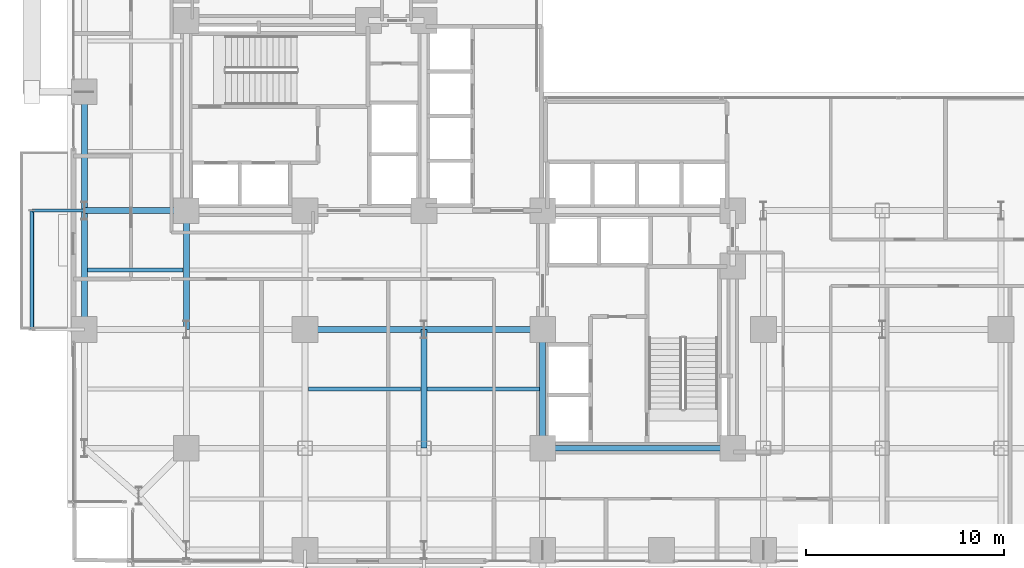
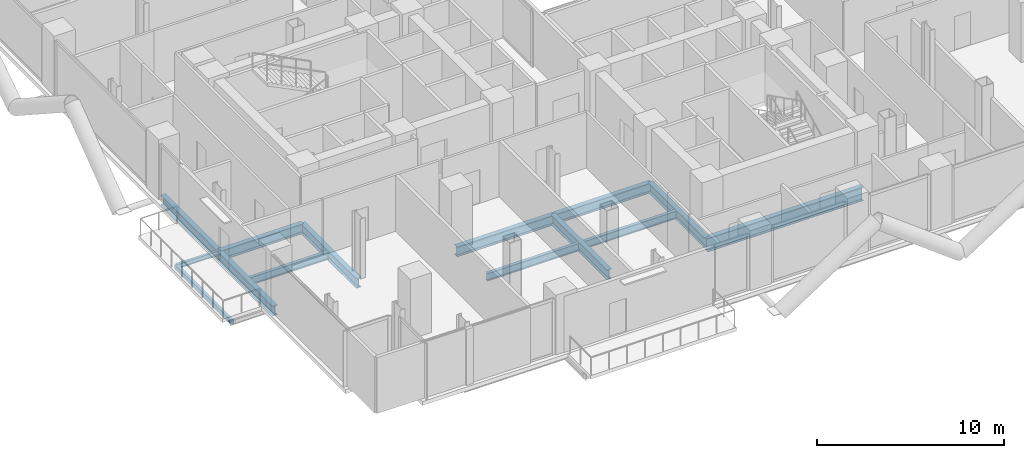
# One storey, part 4 of 25: 14 beams.
"""IFC4 building model written with IfcOpenShell, lengths in metres."""

from ifc_helpers import new_model, si_unit, direction, frame, origin, origin_2d, place, context, subcontext, project, spatial, hollow_rectangle, i_section, extrude, material, material_profile, profile_set, type_object, element, save


model = new_model("IFC4")

# Units and contexts
model_context = context("Model", 3, precision=1e-05, world=origin(), true_north=direction((0.0, 1.0)))
body_context = subcontext(model_context, "Body", "Model", "MODEL_VIEW")
ifc_project = project(units=[si_unit("LENGTHUNIT", "METRE"), si_unit("AREAUNIT", "SQUARE_METRE"), si_unit("VOLUMEUNIT", "CUBIC_METRE"), si_unit("PLANEANGLEUNIT", "RADIAN"), si_unit("MASSUNIT", "GRAM", prefix="KILO"), si_unit("THERMODYNAMICTEMPERATUREUNIT", "KELVIN"), si_unit("POWERUNIT", "WATT")], contexts=[model_context])

# Site, building, storey
site_placement = place(None, origin())
site = spatial("IfcSite", under=ifc_project, at=site_placement, CompositionType="ELEMENT")
building_placement = place(site_placement, origin())
building = spatial("IfcBuilding", under=site, at=building_placement, Name="Svarakhadi Broadcast Tower", CompositionType="ELEMENT")
storey_placement = place(building_placement, frame((0.0, 0.0, 67.5)))
storey = spatial("IfcBuildingStorey", under=building, at=storey_placement, Name="L15", CompositionType="ELEMENT", Elevation=67.5)

# Beams
ifc_material_1 = material(Name="Steel S355J2 (IS 2062 E350C)", Category="steel")
ifc_material_profile_1 = material_profile(ifc_material_1, i_section(OverallWidth=0.199951171875, OverallDepth=0.5, WebThickness=0.01025390625, FlangeThickness=0.01611328125, FilletRadius=0.02099609375, at=origin_2d()), Name="NPB 500x200x91")
ifc_profile_set_1 = profile_set([ifc_material_profile_1], Name="Steel S355J2 (IS 2062 E350C)")
beam_type_1 = type_object("IfcBeamType", Name="Beam_NPB500", PredefinedType="BEAM", material=ifc_profile_set_1)
beam_1_placement = place(storey_placement, frame((1.010009765625, 15.0, -0.5), z_axis=(1.0, 0.0, 0.0), x_axis=(0.0, 1.0, 0.0)))
element("IfcBeam", 1, at=beam_1_placement, inside=storey, type_object=beam_type_1, Name="L15 Secondary Composite Beam SB002", PredefinedType="BEAM", context=body_context, shape_type="SweptSolid", body=[
    extrude(i_section(OverallWidth=0.199951171875, OverallDepth=0.5, WebThickness=0.01025390625, FlangeThickness=0.01611328125, FilletRadius=0.02099609375, at=origin_2d()), origin(), (0.0, 0.0, 1.0), 4.830078125),
])
for number, where, z_axis, x_axis, name in (
    (2, (12.159912109375, 9.0, -0.5), (1.0, 0.0, 0.0), (0.0, 1.0, 0.0), "L15 Secondary Composite Beam SB014"),
    (3, (18.159912109375, 9.0, -0.5), (1.0, 0.0, 0.0), (0.0, 1.0, 0.0), "L15 Secondary Composite Beam SB020"),
):
    element("IfcBeam", number, at=place(storey_placement, frame(where, z_axis=z_axis, x_axis=x_axis)), inside=storey, type_object=beam_type_1, Name=name, PredefinedType="BEAM", context=body_context, shape_type="SweptSolid", body=[
        extrude(i_section(OverallWidth=0.199951171875, OverallDepth=0.5, WebThickness=0.01025390625, FlangeThickness=0.01611328125, FilletRadius=0.02099609375, at=origin_2d()), origin(), (0.0, 0.0, 1.0), 5.68017578125),
    ])
ifc_material_profile_2 = material_profile(ifc_material_1, i_section(OverallWidth=0.300048828125, OverallDepth=0.64990234375, WebThickness=0.01611328125, FlangeThickness=0.031005859375, FilletRadius=0.027099609375, at=origin_2d()), Name="WPB 650x300x225")
ifc_profile_set_2 = profile_set([ifc_material_profile_2], Name="Steel S355J2 (IS 2062 E350C)")
beam_type_2 = type_object("IfcBeamType", Name="Girder_WPB650", PredefinedType="USERDEFINED", material=ifc_profile_set_2)
for number, where, z_axis, x_axis, name in (
    (4, (12.0, 12.0, -0.574951171875), (1.0, 0.0, 0.0), (0.0, 1.0, 0.0), "L15 Primary E-W Girder G021"),
    (5, (18.0, 12.0, -0.574951171875), (1.0, 0.0, 0.0), (0.0, 1.0, 0.0), "L15 Primary E-W Girder G022"),
):
    element("IfcBeam", number, at=place(storey_placement, frame(where, z_axis=z_axis, x_axis=x_axis)), inside=storey, type_object=beam_type_2, Name=name, ObjectType="GIRDER", PredefinedType="USERDEFINED", context=body_context, shape_type="SweptSolid", body=[
        extrude(i_section(OverallWidth=0.300048828125, OverallDepth=0.64990234375, WebThickness=0.01611328125, FlangeThickness=0.031005859375, FilletRadius=0.027099609375, at=origin_2d()), origin(), (0.0, 0.0, 1.0), 6.0),
    ])
beam_2_placement = place(storey_placement, frame((0.85009765625, 18.0, -0.574951171875), z_axis=(1.0, 0.0, 0.0), x_axis=(0.0, 1.0, 0.0)))
element("IfcBeam", 6, at=beam_2_placement, inside=storey, type_object=beam_type_2, Name="L15 Primary E-W Girder G025", ObjectType="GIRDER", PredefinedType="USERDEFINED", context=body_context, shape_type="SweptSolid", body=[
    extrude(i_section(OverallWidth=0.300048828125, OverallDepth=0.64990234375, WebThickness=0.01611328125, FlangeThickness=0.031005859375, FilletRadius=0.027099609375, at=origin_2d()), origin(), (0.0, 0.0, 1.0), 5.14990234375),
])
for number, where, z_axis, x_axis, name in (
    (7, (0.85009765625, 12.0, -0.574951171875), (0.0, 1.0, 0.0), (-1.0, 0.0, 0.0), "L15 Primary N-S Girder G046"),
    (8, (0.85009765625, 18.0, -0.574951171875), (0.0, 1.0, 0.0), (-1.0, 0.0, 0.0), "L15 Primary N-S Girder G047"),
    (9, (6.0, 12.0, -0.574951171875), (0.0, 1.0, 0.0), (-1.0, 0.0, 0.0), "L15 Primary N-S Girder G053"),
    (10, (18.0, 6.0, -0.574951171875), (0.0, 1.0, 0.0), (-1.0, 0.0, 0.0), "L15 Primary N-S Girder G065"),
    (11, (24.0, 6.0, -0.574951171875), (0.0, 1.0, 0.0), (-1.0, 0.0, 0.0), "L15 Primary N-S Girder G072"),
):
    element("IfcBeam", number, at=place(storey_placement, frame(where, z_axis=z_axis, x_axis=x_axis)), inside=storey, type_object=beam_type_2, Name=name, ObjectType="GIRDER", PredefinedType="USERDEFINED", context=body_context, shape_type="SweptSolid", body=[
        extrude(i_section(OverallWidth=0.300048828125, OverallDepth=0.64990234375, WebThickness=0.01611328125, FlangeThickness=0.031005859375, FilletRadius=0.027099609375, at=origin_2d()), origin(), (0.0, 0.0, 1.0), 6.0),
    ])
ifc_material_2 = material(Name="Steel S460ML (IS 2062 E450BR)", Category="steel")
ifc_material_profile_3 = material_profile(ifc_material_2, i_section(OverallWidth=0.300048828125, OverallDepth=0.89990234375, WebThickness=0.0185546875, FlangeThickness=0.034912109375, FilletRadius=0.030029296875, at=origin_2d()), Name="WPB 900x300x291")
ifc_profile_set_3 = profile_set([ifc_material_profile_3], Name="Steel S460ML (IS 2062 E450BR)")
beam_type_3 = type_object("IfcBeamType", Name="Girder_WPB900", PredefinedType="USERDEFINED", material=ifc_profile_set_3)
beam_3_placement = place(storey_placement, frame((24.0, 6.0, -0.699951171875), z_axis=(1.0, 0.0, 0.0), x_axis=(0.0, 1.0, 0.0)))
element("IfcBeam", 12, at=beam_3_placement, inside=storey, type_object=beam_type_3, Name="L15 Primary E-W Girder G015", ObjectType="GIRDER", PredefinedType="USERDEFINED", context=body_context, shape_type="SweptSolid", body=[
    extrude(i_section(OverallWidth=0.300048828125, OverallDepth=0.89990234375, WebThickness=0.0185546875, FlangeThickness=0.034912109375, FilletRadius=0.030029296875, at=origin_2d()), origin(), (0.0, 0.0, 1.0), 9.60009765625),
])
ifc_material_profile_4 = material_profile(ifc_material_1, i_section(OverallWidth=0.14990234375, OverallDepth=0.300048828125, WebThickness=0.007080078125, FlangeThickness=0.0107421875, FilletRadius=0.014892578125, at=origin_2d()), Name="NPB 300x150x37")
ifc_profile_set_4 = profile_set([ifc_material_profile_4], Name="Steel S355J2 (IS 2062 E350C)")
beam_type_4 = type_object("IfcBeamType", Name="Spandrel_NPB300", PredefinedType="SPANDREL", material=ifc_profile_set_4)
beam_4_placement = place(storey_placement, frame((0.85009765625, 18.0, -0.39990234375), z_axis=(-1.0, 0.0, 0.0), x_axis=(0.0, -1.0, 0.0)))
element("IfcBeam", 13, at=beam_4_placement, inside=storey, type_object=beam_type_4, Name="L15 Balcony Cantilever Bracket 2B", PredefinedType="SPANDREL", context=body_context, shape_type="SweptSolid", body=[
    extrude(i_section(OverallWidth=0.14990234375, OverallDepth=0.300048828125, WebThickness=0.007080078125, FlangeThickness=0.0107421875, FilletRadius=0.014892578125, at=origin_2d()), origin(), (0.0, 0.0, 1.0), 2.650146484375),
])
ifc_material_profile_5 = material_profile(ifc_material_2, hollow_rectangle(XDim=0.199951171875, YDim=0.300048828125, WallThickness=0.012451171875, InnerFilletRadius=0.012451171875, OuterFilletRadius=0.02490234375, at=origin_2d()), Name="RHS 300x200x12.5")
ifc_profile_set_5 = profile_set([ifc_material_profile_5], Name="Steel S460ML (IS 2062 E450BR)")
beam_type_5 = type_object("IfcBeamType", Name="Spandrel_RHS300", PredefinedType="SPANDREL", material=ifc_profile_set_5)
beam_5_placement = place(storey_placement, frame((-1.800048828125, 12.0, -0.39990234375), z_axis=(0.0, 1.0, 0.0), x_axis=(-1.0, 0.0, 0.0)))
element("IfcBeam", 14, at=beam_5_placement, inside=storey, type_object=beam_type_5, Name="L15 Balcony Outer Spandrel 2F", PredefinedType="SPANDREL", context=body_context, shape_type="SweptSolid", body=[
    extrude(hollow_rectangle(XDim=0.199951171875, YDim=0.300048828125, WallThickness=0.012451171875, InnerFilletRadius=0.012451171875, OuterFilletRadius=0.02490234375, at=origin_2d()), origin(), (0.0, 0.0, 1.0), 6.0),
])

save(model, "model.ifc")
